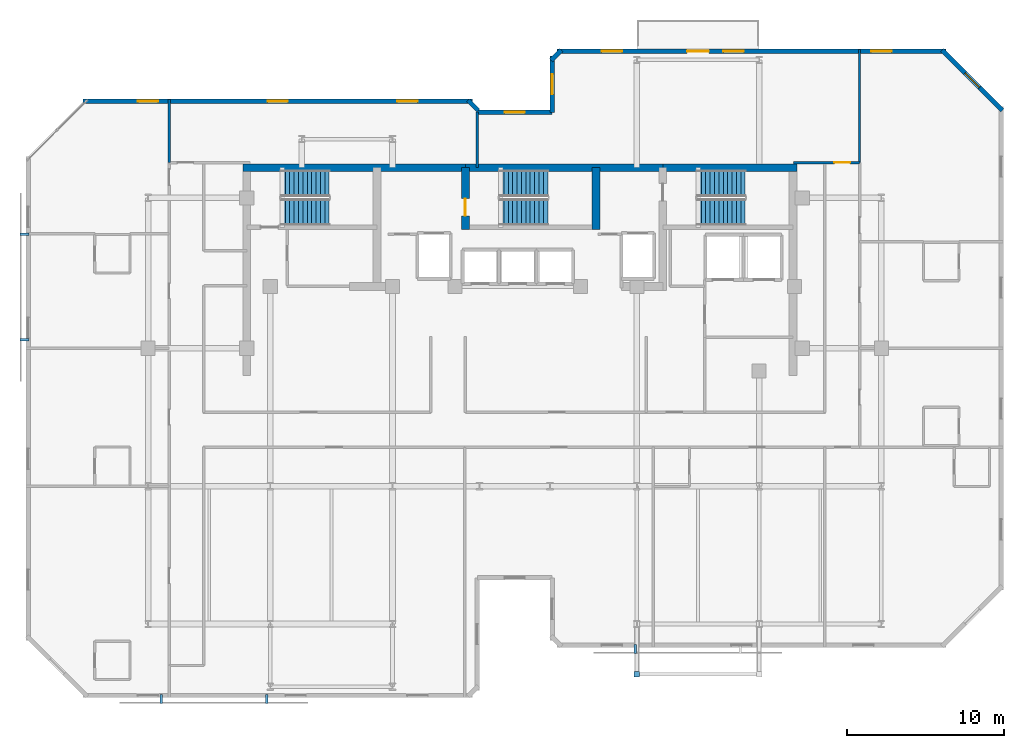
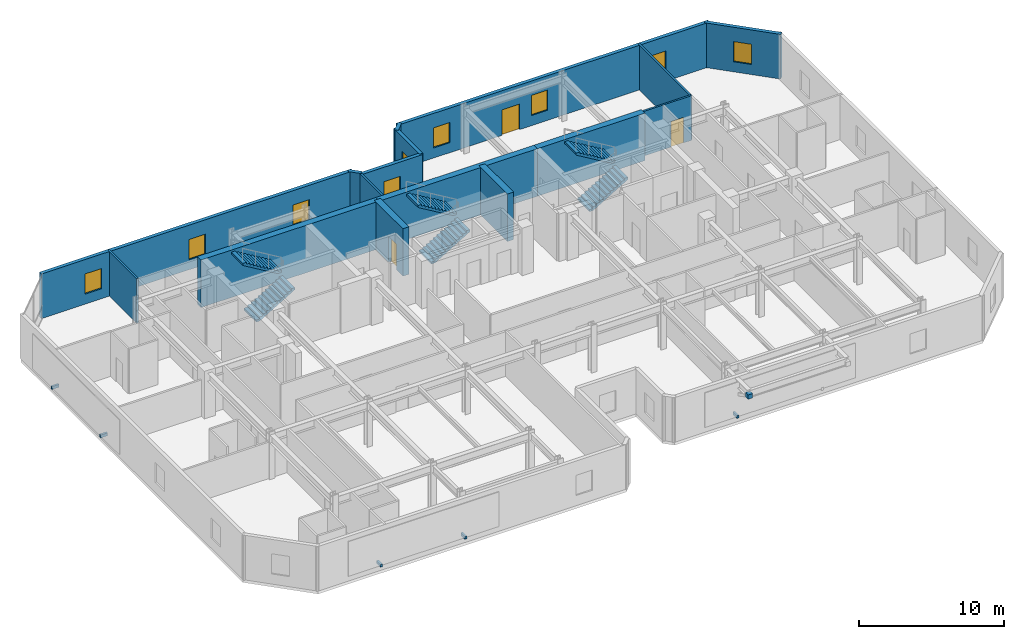
# One storey, part 7 of 10: 16 walls, 9 windows, 6 discrete accessories, 6 stair flights, 3 doors, 12 openings, 3 elements without a shape of their own.
"""IFC4 building model written with IfcOpenShell, lengths in metres."""

from ifc_helpers import new_model, si_unit, direction, frame, frame_2d, origin, origin_2d, place, context, subcontext, project, spatial, polyline, rectangle, outline, extrude, material, layer, layer_set, type_object, element, fill, aggregate, save


model = new_model("IFC4")

# Units and contexts
model_context = context("Model", 3, precision=1e-05, world=origin(), true_north=direction((0.0, 1.0)))
body_context = subcontext(model_context, "Body", "Model", "MODEL_VIEW")
ifc_project = project(units=[si_unit("LENGTHUNIT", "METRE"), si_unit("AREAUNIT", "SQUARE_METRE"), si_unit("VOLUMEUNIT", "CUBIC_METRE"), si_unit("PLANEANGLEUNIT", "RADIAN"), si_unit("MASSUNIT", "GRAM", prefix="KILO")], contexts=[model_context])

# Site, building, storey
site_placement = place(None, origin())
site = spatial("IfcSite", under=ifc_project, at=site_placement, CompositionType="ELEMENT")
building_placement = place(site_placement, origin())
building = spatial("IfcBuilding", under=site, at=building_placement, Name="Kestravale Grand Hotel", CompositionType="ELEMENT")
storey_placement = place(building_placement, frame((0.0, 0.0, 261.39990234375)))
storey = spatial("IfcBuildingStorey", under=building, at=storey_placement, Name="L65", CompositionType="ELEMENT", Elevation=261.39990234375)

# Walls
ifc_material_1 = material(Name="Concrete f'c 50 MPa", Category="concrete")
ifc_layer_1 = layer(ifc_material_1, 0.5)
ifc_layer_set_1 = layer_set([ifc_layer_1], Name="EW-CORE-500")
wall_type_1 = type_object("IfcWallType", Name="EW-CORE-500", PredefinedType="SHEAR", material=ifc_layer_set_1)
wall_1_placement = place(storey_placement, frame((21.64990234375, 40.320068359375, 0.0), z_axis=(0.0, 0.0, 1.0), x_axis=(1.0, 0.0, 0.0)))
element("IfcWall", 1, at=wall_1_placement, inside=storey, type_object=wall_type_1, Name="L65 core shear wall N1", PredefinedType="SHEAR", context=body_context, shape_type="SweptSolid", body=[
    extrude(rectangle(XDim=14.2001953125, YDim=0.5, at=frame_2d((7.10009765625, 0.0))), origin(), (0.0, 0.0, 1.0), 4.0),
])
wall_2_placement = place(storey_placement, frame((35.85009765625, 40.320068359375, 0.0), z_axis=(0.0, 0.0, 1.0), x_axis=(1.0, 0.0, 0.0)))
element("IfcWall", 2, at=wall_2_placement, inside=storey, type_object=wall_type_1, Name="L65 core shear wall N2", PredefinedType="SHEAR", context=body_context, shape_type="SweptSolid", body=[
    extrude(rectangle(XDim=12.599853515625, YDim=0.5, at=frame_2d((6.2998046875, 0.0))), origin(), (0.0, 0.0, 1.0), 4.0),
])
wall_3_placement = place(storey_placement, frame((48.449951171875, 40.320068359375, 0.0), z_axis=(0.0, 0.0, 1.0), x_axis=(1.0, 0.0, 0.0)))
element("IfcWall", 3, at=wall_3_placement, inside=storey, type_object=wall_type_1, Name="L65 core shear wall N3", PredefinedType="SHEAR", context=body_context, shape_type="SweptSolid", body=[
    extrude(rectangle(XDim=8.570068359375, YDim=0.5, at=frame_2d((4.28515625, 0.0))), origin(), (0.0, 0.0, 1.0), 4.0),
])

# Wall, opening, door
wall_4_placement = place(storey_placement, frame((35.85009765625, 36.3701171875, 0.0), z_axis=(0.0, 0.0, 1.0), x_axis=(0.0, 1.0, 0.0)))
wall_4 = element("IfcWall", 4, at=wall_4_placement, inside=storey, type_object=wall_type_1, Name="L65 core shear wall X2", PredefinedType="SHEAR", context=body_context, shape_type="SweptSolid", body=[
    extrude(rectangle(XDim=3.949951171875, YDim=0.5, at=frame_2d((1.97509765625, 0.0))), origin(), (0.0, 0.0, 1.0), 4.0),
])
opening_1_placement = place(wall_4_placement, frame((0.8798828125, 0.0, 0.0)))
opening_1 = element("IfcOpeningElement", 5, at=opening_1_placement, cuts=wall_4, Name="Opening D-ST-1100", PredefinedType="OPENING", context=body_context, shape_type="SweptSolid", body=[
    extrude(rectangle(XDim=1.10009765625, YDim=2.14990234375, at=frame_2d((0.550048828125, 1.074951171875))), frame((0.0, 0.260009765625, 0.0), z_axis=(0.0, -1.0, 0.0), x_axis=(1.0, 0.0, 0.0)), (0.0, 0.0, 1.0), 0.52001953125),
])
ifc_material_2 = material(Name="Galvanised 90-minute fire-rated steel stair door", Category="steel")
door_type_1 = type_object("IfcDoorType", Name="D-ST-1100", OperationType="NOTDEFINED", PredefinedType="DOOR", material=ifc_material_2)
door_1_placement = place(opening_1_placement, origin())
door_1 = element("IfcDoor", 6, at=door_1_placement, inside=storey, type_object=door_type_1, Name="L65 Stair ST-2 FSAE fire door", OperationType="SINGLE_SWING_RIGHT", OverallHeight=2.14990234375, OverallWidth=1.10009765625, PredefinedType="DOOR", context=body_context, shape_type="SweptSolid", body=[
    extrude(rectangle(XDim=1.10009765625, YDim=2.14990234375, at=frame_2d((0.550048828125, 1.074951171875))), frame((0.0, 0.02490234375, 0.0), z_axis=(0.0, -1.0, 0.0), x_axis=(1.0, 0.0, 0.0)), (0.0, 0.0, 1.0), 0.050048828125),
])
fill(opening_1, door_1)

# Wall
wall_5_placement = place(storey_placement, frame((44.179931640625, 36.3701171875, 0.0), z_axis=(0.0, 0.0, 1.0), x_axis=(0.0, 1.0, 0.0)))
element("IfcWall", 7, at=wall_5_placement, inside=storey, type_object=wall_type_1, Name="L65 core shear wall X3", PredefinedType="SHEAR", context=body_context, shape_type="SweptSolid", body=[
    extrude(rectangle(XDim=3.949951171875, YDim=0.5, at=frame_2d((1.97509765625, 0.0))), origin(), (0.0, 0.0, 1.0), 4.0),
])

# Wall, opening, window
ifc_material_3 = material(Name="Precast concrete f'c 45 MPa", Category="concrete")
ifc_layer_2 = layer(ifc_material_3, 0.280029296875)
ifc_layer_set_2 = layer_set([ifc_layer_2], Name="EW-PREC-280")
wall_type_2 = type_object("IfcWallType", Name="EW-PREC-280", PredefinedType="SOLIDWALL", material=ifc_layer_set_2)
wall_6_placement = place(storey_placement, frame((70.12939453125, 43.97265625, 0.0), z_axis=(0.0, 0.0, 1.0), x_axis=(-0.707106781187, 0.707106781187, 0.0)))
wall_6 = element("IfcWall", 8, at=wall_6_placement, inside=storey, type_object=wall_type_2, Name="L65 fluted precast facade wall 10", PredefinedType="SOLIDWALL", context=body_context, shape_type="SweptSolid", body=[
    extrude(rectangle(XDim=5.4541015625, YDim=0.280029296875, at=frame_2d((2.72705078125, 0.0))), origin(), (0.0, 0.0, 1.0), 3.760009765625),
])
opening_2_placement = place(wall_6_placement, frame((2.076904296875, 0.0, 0.85009765625)))
opening_2 = element("IfcOpeningElement", 9, at=opening_2_placement, cuts=wall_6, Name="Opening W-GUEST-1300", PredefinedType="OPENING", context=body_context, shape_type="SweptSolid", body=[
    extrude(rectangle(XDim=1.300048828125, YDim=1.699951171875, at=frame_2d((0.64990234375, 0.85009765625))), frame((0.0, 0.14990234375, 0.0), z_axis=(0.0, -1.0, 0.0), x_axis=(1.0, 0.0, 0.0)), (0.0, 0.0, 1.0), 0.300048828125),
])
ifc_material_4 = material(Name="Insulated low-E double glazing in aluminium frame", Category="aluminium")
window_type = type_object("IfcWindowType", Name="W-GUEST-1300", PartitioningType="SINGLE_PANEL", PredefinedType="WINDOW", material=ifc_material_4)
window_1_placement = place(opening_2_placement, origin())
window_1 = element("IfcWindow", 10, at=window_1_placement, inside=storey, type_object=window_type, Name="L65 exterior window 10.1", OverallHeight=1.699951171875, OverallWidth=1.300048828125, PartitioningType="SINGLE_PANEL", PredefinedType="WINDOW", context=body_context, shape_type="SweptSolid", body=[
    extrude(rectangle(XDim=1.300048828125, YDim=1.699951171875, at=frame_2d((0.64990234375, 0.85009765625))), frame((0.0, 0.030029296875, 0.0), z_axis=(0.0, -1.0, 0.0), x_axis=(1.0, 0.0, 0.0)), (0.0, 0.0, 1.0), 0.06005859375),
])
fill(opening_2, window_1)

# Wall, openings, door, windows
wall_7_placement = place(storey_placement, frame((66.5400390625, 47.760009765625, 0.0), z_axis=(0.0, 0.0, 1.0), x_axis=(-1.0, 0.0, 0.0)))
wall_7 = element("IfcWall", 11, at=wall_7_placement, inside=storey, type_object=wall_type_2, Name="L65 fluted precast facade wall 11", PredefinedType="SOLIDWALL", context=body_context, shape_type="SweptSolid", body=[
    extrude(rectangle(XDim=24.830078125, YDim=0.280029296875, at=frame_2d((12.4150390625, 0.0))), origin(), (0.0, 0.0, 1.0), 3.760009765625),
])
opening_3_placement = place(wall_7_placement, frame((15.139892578125, 0.0, 0.0)))
opening_3 = element("IfcOpeningElement", 12, at=opening_3_placement, cuts=wall_7, Name="Opening D-TERR-1400", PredefinedType="OPENING", context=body_context, shape_type="SweptSolid", body=[
    extrude(rectangle(XDim=1.39990234375, YDim=2.14990234375, at=frame_2d((0.699951171875, 1.074951171875))), frame((0.0, 0.14990234375, 0.0), z_axis=(0.0, -1.0, 0.0), x_axis=(1.0, 0.0, 0.0)), (0.0, 0.0, 1.0), 0.300048828125),
])
opening_4_placement = place(wall_7_placement, frame((3.48828125, 0.0, 0.85009765625)))
opening_4 = element("IfcOpeningElement", 13, at=opening_4_placement, cuts=wall_7, Name="Opening W-GUEST-1300", PredefinedType="OPENING", context=body_context, shape_type="SweptSolid", body=[
    extrude(rectangle(XDim=1.300048828125, YDim=1.699951171875, at=frame_2d((0.64990234375, 0.85009765625))), frame((0.0, 0.14990234375, 0.0), z_axis=(0.0, -1.0, 0.0), x_axis=(1.0, 0.0, 0.0)), (0.0, 0.0, 1.0), 0.300048828125),
])
opening_5_placement = place(wall_7_placement, frame((12.9150390625, 0.0, 0.85009765625)))
opening_5 = element("IfcOpeningElement", 14, at=opening_5_placement, cuts=wall_7, Name="Opening W-GUEST-1300", PredefinedType="OPENING", context=body_context, shape_type="SweptSolid", body=[
    extrude(rectangle(XDim=1.300048828125, YDim=1.699951171875, at=frame_2d((0.64990234375, 0.85009765625))), frame((0.0, 0.14990234375, 0.0), z_axis=(0.0, -1.0, 0.0), x_axis=(1.0, 0.0, 0.0)), (0.0, 0.0, 1.0), 0.300048828125),
])
opening_6_placement = place(wall_7_placement, frame((20.691650390625, 0.0, 0.85009765625)))
opening_6 = element("IfcOpeningElement", 15, at=opening_6_placement, cuts=wall_7, Name="Opening W-GUEST-1300", PredefinedType="OPENING", context=body_context, shape_type="SweptSolid", body=[
    extrude(rectangle(XDim=1.300048828125, YDim=1.699951171875, at=frame_2d((0.64990234375, 0.85009765625))), frame((0.0, 0.14990234375, 0.0), z_axis=(0.0, -1.0, 0.0), x_axis=(1.0, 0.0, 0.0)), (0.0, 0.0, 1.0), 0.300048828125),
])
ifc_material_5 = material(Name="Insulated glazed champagne-bronze aluminium door", Category="aluminium")
door_type_2 = type_object("IfcDoorType", Name="D-TERR-1400", OperationType="NOTDEFINED", PredefinedType="DOOR", material=ifc_material_5)
door_2_placement = place(opening_3_placement, origin())
door_2 = element("IfcDoor", 16, at=door_2_placement, inside=storey, type_object=door_type_2, Name="L65 outdoor garden terrace door", OperationType="DOUBLE_DOOR_SINGLE_SWING", OverallHeight=2.14990234375, OverallWidth=1.39990234375, PredefinedType="DOOR", context=body_context, shape_type="SweptSolid", body=[
    extrude(rectangle(XDim=1.39990234375, YDim=2.14990234375, at=frame_2d((0.699951171875, 1.074951171875))), frame((0.0, 0.02490234375, 0.0), z_axis=(0.0, -1.0, 0.0), x_axis=(1.0, 0.0, 0.0)), (0.0, 0.0, 1.0), 0.050048828125),
])
fill(opening_3, door_2)
window_2_placement = place(opening_4_placement, origin())
window_2 = element("IfcWindow", 17, at=window_2_placement, inside=storey, type_object=window_type, Name="L65 exterior window 11.1", OverallHeight=1.699951171875, OverallWidth=1.300048828125, PartitioningType="SINGLE_PANEL", PredefinedType="WINDOW", context=body_context, shape_type="SweptSolid", body=[
    extrude(rectangle(XDim=1.300048828125, YDim=1.699951171875, at=frame_2d((0.64990234375, 0.85009765625))), frame((0.0, 0.030029296875, 0.0), z_axis=(0.0, -1.0, 0.0), x_axis=(1.0, 0.0, 0.0)), (0.0, 0.0, 1.0), 0.06005859375),
])
fill(opening_4, window_2)
window_3_placement = place(opening_5_placement, origin())
window_3 = element("IfcWindow", 18, at=window_3_placement, inside=storey, type_object=window_type, Name="L65 exterior window 11.2", OverallHeight=1.699951171875, OverallWidth=1.300048828125, PartitioningType="SINGLE_PANEL", PredefinedType="WINDOW", context=body_context, shape_type="SweptSolid", body=[
    extrude(rectangle(XDim=1.300048828125, YDim=1.699951171875, at=frame_2d((0.64990234375, 0.85009765625))), frame((0.0, 0.030029296875, 0.0), z_axis=(0.0, -1.0, 0.0), x_axis=(1.0, 0.0, 0.0)), (0.0, 0.0, 1.0), 0.06005859375),
])
fill(opening_5, window_3)
window_4_placement = place(opening_6_placement, origin())
window_4 = element("IfcWindow", 19, at=window_4_placement, inside=storey, type_object=window_type, Name="L65 exterior window 11.3", OverallHeight=1.699951171875, OverallWidth=1.300048828125, PartitioningType="SINGLE_PANEL", PredefinedType="WINDOW", context=body_context, shape_type="SweptSolid", body=[
    extrude(rectangle(XDim=1.300048828125, YDim=1.699951171875, at=frame_2d((0.64990234375, 0.85009765625))), frame((0.0, 0.030029296875, 0.0), z_axis=(0.0, -1.0, 0.0), x_axis=(1.0, 0.0, 0.0)), (0.0, 0.0, 1.0), 0.06005859375),
])
fill(opening_6, window_4)

# Wall
wall_8_placement = place(storey_placement, frame((41.977294921875, 47.829345703125, 0.0), z_axis=(0.0, 0.0, 1.0), x_axis=(-0.706975312048, -0.707238225886, 0.0)))
element("IfcWall", 20, at=wall_8_placement, inside=storey, type_object=wall_type_2, Name="L65 fluted precast facade wall 12", PredefinedType="SOLIDWALL", context=body_context, shape_type="SweptSolid", body=[
    extrude(rectangle(XDim=0.9287109375, YDim=0.280029296875, at=frame_2d((0.46435546875, 0.0))), origin(), (0.0, 0.0, 1.0), 3.760009765625),
])

# Wall, opening, window
wall_9_placement = place(storey_placement, frame((41.389892578125, 47.43994140625, 0.0), z_axis=(0.0, 0.0, 1.0), x_axis=(0.0, -1.0, 0.0)))
wall_9 = element("IfcWall", 21, at=wall_9_placement, inside=storey, type_object=wall_type_2, Name="L65 fluted precast facade wall 13", PredefinedType="SOLIDWALL", context=body_context, shape_type="SweptSolid", body=[
    extrude(rectangle(XDim=3.579833984375, YDim=0.280029296875, at=frame_2d((1.7900390625, 0.0))), origin(), (0.0, 0.0, 1.0), 3.760009765625),
])
opening_7_placement = place(wall_9_placement, frame((1.139892578125, 0.0, 0.85009765625)))
opening_7 = element("IfcOpeningElement", 22, at=opening_7_placement, cuts=wall_9, Name="Opening W-GUEST-1300", PredefinedType="OPENING", context=body_context, shape_type="SweptSolid", body=[
    extrude(rectangle(XDim=1.300048828125, YDim=1.699951171875, at=frame_2d((0.64990234375, 0.85009765625))), frame((0.0, 0.14990234375, 0.0), z_axis=(0.0, -1.0, 0.0), x_axis=(1.0, 0.0, 0.0)), (0.0, 0.0, 1.0), 0.300048828125),
])
window_5_placement = place(opening_7_placement, origin())
window_5 = element("IfcWindow", 23, at=window_5_placement, inside=storey, type_object=window_type, Name="L65 exterior window 13.1", OverallHeight=1.699951171875, OverallWidth=1.300048828125, PartitioningType="SINGLE_PANEL", PredefinedType="WINDOW", context=body_context, shape_type="SweptSolid", body=[
    extrude(rectangle(XDim=1.300048828125, YDim=1.699951171875, at=frame_2d((0.64990234375, 0.85009765625))), frame((0.0, 0.030029296875, 0.0), z_axis=(0.0, -1.0, 0.0), x_axis=(1.0, 0.0, 0.0)), (0.0, 0.0, 1.0), 0.06005859375),
])
fill(opening_7, window_5)

wall_10_placement = place(storey_placement, frame((41.389892578125, 43.860107421875, 0.0), z_axis=(0.0, 0.0, 1.0), x_axis=(-1.0, 0.0, 0.0)))
wall_10 = element("IfcWall", 24, at=wall_10_placement, inside=storey, type_object=wall_type_2, Name="L65 fluted precast facade wall 14", PredefinedType="SOLIDWALL", context=body_context, shape_type="SweptSolid", body=[
    extrude(rectangle(XDim=4.77978515625, YDim=0.280029296875, at=frame_2d((2.389892578125, 0.0))), origin(), (0.0, 0.0, 1.0), 3.760009765625),
])
opening_8_placement = place(wall_10_placement, frame((1.739990234375, 0.0, 0.85009765625)))
opening_8 = element("IfcOpeningElement", 25, at=opening_8_placement, cuts=wall_10, Name="Opening W-GUEST-1300", PredefinedType="OPENING", context=body_context, shape_type="SweptSolid", body=[
    extrude(rectangle(XDim=1.300048828125, YDim=1.699951171875, at=frame_2d((0.64990234375, 0.85009765625))), frame((0.0, 0.14990234375, 0.0), z_axis=(0.0, -1.0, 0.0), x_axis=(1.0, 0.0, 0.0)), (0.0, 0.0, 1.0), 0.300048828125),
])
window_6_placement = place(opening_8_placement, origin())
window_6 = element("IfcWindow", 26, at=window_6_placement, inside=storey, type_object=window_type, Name="L65 exterior window 14.1", OverallHeight=1.699951171875, OverallWidth=1.300048828125, PartitioningType="SINGLE_PANEL", PredefinedType="WINDOW", context=body_context, shape_type="SweptSolid", body=[
    extrude(rectangle(XDim=1.300048828125, YDim=1.699951171875, at=frame_2d((0.64990234375, 0.85009765625))), frame((0.0, 0.030029296875, 0.0), z_axis=(0.0, -1.0, 0.0), x_axis=(1.0, 0.0, 0.0)), (0.0, 0.0, 1.0), 0.06005859375),
])
fill(opening_8, window_6)

# Wall
wall_11_placement = place(storey_placement, frame((36.67919921875, 43.97265625, 0.0), z_axis=(0.0, 0.0, 1.0), x_axis=(-0.706975312048, 0.707238225886, 0.0)))
element("IfcWall", 27, at=wall_11_placement, inside=storey, type_object=wall_type_2, Name="L65 fluted precast facade wall 16", PredefinedType="SOLIDWALL", context=body_context, shape_type="SweptSolid", body=[
    extrude(rectangle(XDim=0.9287109375, YDim=0.280029296875, at=frame_2d((0.46435546875, 0.0))), origin(), (0.0, 0.0, 1.0), 3.760009765625),
])

# Wall, openings, windows
wall_12_placement = place(storey_placement, frame((36.2900390625, 44.56005859375, 0.0), z_axis=(0.0, 0.0, 1.0), x_axis=(-1.0, 0.0, 0.0)))
wall_12 = element("IfcWall", 28, at=wall_12_placement, inside=storey, type_object=wall_type_2, Name="L65 fluted precast facade wall 17", PredefinedType="SOLIDWALL", context=body_context, shape_type="SweptSolid", body=[
    extrude(rectangle(XDim=24.830078125, YDim=0.280029296875, at=frame_2d((12.4150390625, 0.0))), origin(), (0.0, 0.0, 1.0), 3.760009765625),
])
opening_9_placement = place(wall_12_placement, frame((3.48828125, 0.0, 0.85009765625)))
opening_9 = element("IfcOpeningElement", 29, at=opening_9_placement, cuts=wall_12, Name="Opening W-GUEST-1300", PredefinedType="OPENING", context=body_context, shape_type="SweptSolid", body=[
    extrude(rectangle(XDim=1.300048828125, YDim=1.699951171875, at=frame_2d((0.64990234375, 0.85009765625))), frame((0.0, 0.14990234375, 0.0), z_axis=(0.0, -1.0, 0.0), x_axis=(1.0, 0.0, 0.0)), (0.0, 0.0, 1.0), 0.300048828125),
])
opening_10_placement = place(wall_12_placement, frame((11.764892578125, 0.0, 0.85009765625)))
opening_10 = element("IfcOpeningElement", 30, at=opening_10_placement, cuts=wall_12, Name="Opening W-GUEST-1300", PredefinedType="OPENING", context=body_context, shape_type="SweptSolid", body=[
    extrude(rectangle(XDim=1.300048828125, YDim=1.699951171875, at=frame_2d((0.64990234375, 0.85009765625))), frame((0.0, 0.14990234375, 0.0), z_axis=(0.0, -1.0, 0.0), x_axis=(1.0, 0.0, 0.0)), (0.0, 0.0, 1.0), 0.300048828125),
])
opening_11_placement = place(wall_12_placement, frame((20.041748046875, 0.0, 0.85009765625)))
opening_11 = element("IfcOpeningElement", 31, at=opening_11_placement, cuts=wall_12, Name="Opening W-GUEST-1300", PredefinedType="OPENING", context=body_context, shape_type="SweptSolid", body=[
    extrude(rectangle(XDim=1.300048828125, YDim=1.699951171875, at=frame_2d((0.64990234375, 0.85009765625))), frame((0.0, 0.14990234375, 0.0), z_axis=(0.0, -1.0, 0.0), x_axis=(1.0, 0.0, 0.0)), (0.0, 0.0, 1.0), 0.300048828125),
])
window_7_placement = place(opening_9_placement, origin())
window_7 = element("IfcWindow", 32, at=window_7_placement, inside=storey, type_object=window_type, Name="L65 exterior window 17.1", OverallHeight=1.699951171875, OverallWidth=1.300048828125, PartitioningType="SINGLE_PANEL", PredefinedType="WINDOW", context=body_context, shape_type="SweptSolid", body=[
    extrude(rectangle(XDim=1.300048828125, YDim=1.699951171875, at=frame_2d((0.64990234375, 0.85009765625))), frame((0.0, 0.030029296875, 0.0), z_axis=(0.0, -1.0, 0.0), x_axis=(1.0, 0.0, 0.0)), (0.0, 0.0, 1.0), 0.06005859375),
])
fill(opening_9, window_7)
window_8_placement = place(opening_10_placement, origin())
window_8 = element("IfcWindow", 33, at=window_8_placement, inside=storey, type_object=window_type, Name="L65 exterior window 17.2", OverallHeight=1.699951171875, OverallWidth=1.300048828125, PartitioningType="SINGLE_PANEL", PredefinedType="WINDOW", context=body_context, shape_type="SweptSolid", body=[
    extrude(rectangle(XDim=1.300048828125, YDim=1.699951171875, at=frame_2d((0.64990234375, 0.85009765625))), frame((0.0, 0.030029296875, 0.0), z_axis=(0.0, -1.0, 0.0), x_axis=(1.0, 0.0, 0.0)), (0.0, 0.0, 1.0), 0.06005859375),
])
fill(opening_10, window_8)
window_9_placement = place(opening_11_placement, origin())
window_9 = element("IfcWindow", 34, at=window_9_placement, inside=storey, type_object=window_type, Name="L65 exterior window 17.3", OverallHeight=1.699951171875, OverallWidth=1.300048828125, PartitioningType="SINGLE_PANEL", PredefinedType="WINDOW", context=body_context, shape_type="SweptSolid", body=[
    extrude(rectangle(XDim=1.300048828125, YDim=1.699951171875, at=frame_2d((0.64990234375, 0.85009765625))), frame((0.0, 0.030029296875, 0.0), z_axis=(0.0, -1.0, 0.0), x_axis=(1.0, 0.0, 0.0)), (0.0, 0.0, 1.0), 0.06005859375),
])
fill(opening_11, window_9)

# Wall, opening, door
ifc_material_6 = material(Name="Double-stud STC 52 acoustic demising partition", Category="other")
ifc_layer_3 = layer(ifc_material_6, 0.14990234375)
ifc_layer_set_3 = layer_set([ifc_layer_3], Name="IW-UNIT-150")
wall_type_3 = type_object("IfcWallType", Name="IW-UNIT-150", PredefinedType="PARTITIONING", material=ifc_layer_set_3)
wall_13_placement = place(storey_placement, frame((56.800048828125, 40.64990234375, 0.0), z_axis=(0.0, 0.0, 1.0), x_axis=(1.0, 0.0, 0.0)))
wall_13 = element("IfcWall", 35, at=wall_13_placement, inside=storey, type_object=wall_type_3, Name="W-L65-SE-N", PredefinedType="PARTITIONING", context=body_context, shape_type="SweptSolid", body=[
    extrude(rectangle(XDim=4.2099609375, YDim=0.14990234375, at=frame_2d((2.10498046875, 0.0))), origin(), (0.0, 0.0, 1.0), 3.760009765625),
])
opening_12_placement = place(wall_13_placement, frame((2.60009765625, 0.0, 0.0)))
opening_12 = element("IfcOpeningElement", 36, at=opening_12_placement, cuts=wall_13, Name="Opening D-GUEST-1000", PredefinedType="OPENING", context=body_context, shape_type="SweptSolid", body=[
    extrude(rectangle(XDim=1.0, YDim=2.14990234375, at=frame_2d((0.5, 1.074951171875))), frame((0.0, 0.0849609375, 0.0), z_axis=(0.0, -1.0, 0.0), x_axis=(1.0, 0.0, 0.0)), (0.0, 0.0, 1.0), 0.169921875),
])
ifc_material_7 = material(Name="Accessible walnut veneer hotel entrance fire door", Category="wood")
door_type_3 = type_object("IfcDoorType", Name="D-GUEST-1000", OperationType="NOTDEFINED", PredefinedType="DOOR", material=ifc_material_7)
door_3_placement = place(opening_12_placement, origin())
door_3 = element("IfcDoor", 37, at=door_3_placement, inside=storey, type_object=door_type_3, Name="L65 NE Gallery Door", OperationType="SINGLE_SWING_LEFT", OverallHeight=2.14990234375, OverallWidth=1.0, PredefinedType="DOOR", context=body_context, shape_type="SweptSolid", body=[
    extrude(rectangle(XDim=1.0, YDim=2.14990234375, at=frame_2d((0.5, 1.074951171875))), frame((0.0, 0.02490234375, 0.0), z_axis=(0.0, -1.0, 0.0), x_axis=(1.0, 0.0, 0.0)), (0.0, 0.0, 1.0), 0.050048828125),
])
fill(opening_12, door_3)

# Walls
wall_14_placement = place(storey_placement, frame((16.93994140625, 40.64990234375, 0.0), z_axis=(0.0, 0.0, 1.0), x_axis=(0.0, 1.0, 0.0)))
element("IfcWall", 38, at=wall_14_placement, inside=storey, type_object=wall_type_3, Name="W-L65-NGW-W", PredefinedType="PARTITIONING", context=body_context, shape_type="SweptSolid", body=[
    extrude(rectangle(XDim=4.030029296875, YDim=0.14990234375, at=frame_2d((2.01513671875, 0.0))), origin(), (0.0, 0.0, 1.0), 3.760009765625),
])
wall_15_placement = place(storey_placement, frame((36.60009765625, 40.320068359375, 0.0), z_axis=(0.0, 0.0, 1.0), x_axis=(0.0, 1.0, 0.0)))
element("IfcWall", 39, at=wall_15_placement, inside=storey, type_object=wall_type_3, Name="W-L65-NGM", PredefinedType="PARTITIONING", context=body_context, shape_type="SweptSolid", body=[
    extrude(rectangle(XDim=3.544921875, YDim=0.14990234375, at=frame_2d((1.7724609375, 0.0))), origin(), (0.0, 0.0, 1.0), 3.760009765625),
])
wall_16_placement = place(storey_placement, frame((61.010009765625, 40.64990234375, 0.0), z_axis=(0.0, 0.0, 1.0), x_axis=(0.0, 1.0, 0.0)))
element("IfcWall", 40, at=wall_16_placement, inside=storey, type_object=wall_type_3, Name="W-L65-NGE-E", PredefinedType="PARTITIONING", context=body_context, shape_type="SweptSolid", body=[
    extrude(rectangle(XDim=7.22998046875, YDim=0.14990234375, at=frame_2d((3.614990234375, 0.0))), origin(), (0.0, 0.0, 1.0), 3.760009765625),
])

# Stair, stair flights
ifc_material_8 = material(Name="Concrete f'c 45 MPa", Category="concrete")
stair_type = type_object("IfcStairType", Name="ST-CORE-400", PredefinedType="HALF_TURN_STAIR", material=ifc_material_8)
stair_1_placement = place(storey_placement, origin())
stair_1 = element("IfcStair", 41, at=stair_1_placement, inside=storey, type_object=stair_type, Name="L65 ST-1", PredefinedType="HALF_TURN_STAIR")
ifc_material_9 = material(Name="Concrete f'c 45 MPa", Category="concrete")
stair_flight_type = type_object("IfcStairFlightType", Name="STF-CORE-400", PredefinedType="STRAIGHT", material=ifc_material_9)
stair_flight_1_placement = place(storey_placement, frame((24.080078125, 37.489990234375, 0.0), z_axis=(0.0, 0.0, 1.0), x_axis=(1.0, 0.0, 0.0)))
stair_flight_1 = element("IfcStairFlight", 42, at=stair_flight_1_placement, type_object=stair_flight_type, Name="ST-1 flight 1", NumberOfRisers=12, NumberOfTreads=11, PredefinedType="STRAIGHT", RiserHeight=0.166666667, TreadLength=0.28, context=body_context, shape_type="SweptSolid", body=[
    extrude(outline(polyline([(0.0, 0.0), (0.0, 0.166748046875), (0.280029296875, 0.166748046875), (0.280029296875, 0.333251953125), (0.56005859375, 0.333251953125), (0.56005859375, 0.5), (0.840087890625, 0.5), (0.840087890625, 0.666748046875), (1.1201171875, 0.666748046875), (1.1201171875, 0.833251953125), (1.39990234375, 0.833251953125), (1.39990234375, 1.0), (1.679931640625, 1.0), (1.679931640625, 1.166748046875), (1.9599609375, 1.166748046875), (1.9599609375, 1.333251953125), (2.239990234375, 1.333251953125), (2.239990234375, 1.5), (2.52001953125, 1.5), (2.52001953125, 1.666748046875), (2.800048828125, 1.666748046875), (2.800048828125, 1.833251953125), (3.080078125, 1.833251953125), (3.080078125, 2.0), (3.080078125, 1.658935546875), (0.29296875, 0.0), (0.0, 0.0)])), frame((0.0, 0.83984375, 0.0), z_axis=(0.0, -1.0, 0.0), x_axis=(1.0, 0.0, 0.0)), (0.0, 0.0, 1.0), 1.679931640625),
])
stair_flight_2_placement = place(storey_placement, frame((27.159912109375, 39.320068359375, 2.0), z_axis=(0.0, 0.0, 1.0), x_axis=(-1.0, 0.0, 0.0)))
stair_flight_2 = element("IfcStairFlight", 43, at=stair_flight_2_placement, type_object=stair_flight_type, Name="ST-1 flight 2", NumberOfRisers=12, NumberOfTreads=11, PredefinedType="STRAIGHT", RiserHeight=0.166666667, TreadLength=0.28, context=body_context, shape_type="SweptSolid", body=[
    extrude(outline(polyline([(0.0, 0.0), (0.0, 0.166748046875), (0.280029296875, 0.166748046875), (0.280029296875, 0.333251953125), (0.56005859375, 0.333251953125), (0.56005859375, 0.5), (0.840087890625, 0.5), (0.840087890625, 0.666748046875), (1.1201171875, 0.666748046875), (1.1201171875, 0.833251953125), (1.39990234375, 0.833251953125), (1.39990234375, 1.0), (1.679931640625, 1.0), (1.679931640625, 1.166748046875), (1.9599609375, 1.166748046875), (1.9599609375, 1.333251953125), (2.239990234375, 1.333251953125), (2.239990234375, 1.5), (2.52001953125, 1.5), (2.52001953125, 1.666748046875), (2.800048828125, 1.666748046875), (2.800048828125, 1.833251953125), (3.080078125, 1.833251953125), (3.080078125, 2.0), (3.080078125, 1.658935546875), (0.29296875, 0.0), (0.0, 0.0)])), frame((0.0, 0.83984375, 0.0), z_axis=(0.0, -1.0, 0.0), x_axis=(1.0, 0.0, 0.0)), (0.0, 0.0, 1.0), 1.679931640625),
])
aggregate(stair_1, [stair_flight_1, stair_flight_2])

stair_2_placement = place(storey_placement, origin())
stair_2 = element("IfcStair", 44, at=stair_2_placement, inside=storey, type_object=stair_type, Name="L65 ST-2", PredefinedType="HALF_TURN_STAIR")
stair_flight_3_placement = place(storey_placement, frame((38.030029296875, 37.489990234375, 0.0), z_axis=(0.0, 0.0, 1.0), x_axis=(1.0, 0.0, 0.0)))
stair_flight_3 = element("IfcStairFlight", 45, at=stair_flight_3_placement, type_object=stair_flight_type, Name="ST-2 flight 1", NumberOfRisers=12, NumberOfTreads=11, PredefinedType="STRAIGHT", RiserHeight=0.166666667, TreadLength=0.28, context=body_context, shape_type="SweptSolid", body=[
    extrude(outline(polyline([(0.0, 0.0), (0.0, 0.166748046875), (0.280029296875, 0.166748046875), (0.280029296875, 0.333251953125), (0.56005859375, 0.333251953125), (0.56005859375, 0.5), (0.840087890625, 0.5), (0.840087890625, 0.666748046875), (1.1201171875, 0.666748046875), (1.1201171875, 0.833251953125), (1.39990234375, 0.833251953125), (1.39990234375, 1.0), (1.679931640625, 1.0), (1.679931640625, 1.166748046875), (1.9599609375, 1.166748046875), (1.9599609375, 1.333251953125), (2.239990234375, 1.333251953125), (2.239990234375, 1.5), (2.52001953125, 1.5), (2.52001953125, 1.666748046875), (2.800048828125, 1.666748046875), (2.800048828125, 1.833251953125), (3.080078125, 1.833251953125), (3.080078125, 2.0), (3.080078125, 1.658935546875), (0.29296875, 0.0), (0.0, 0.0)])), frame((0.0, 0.83984375, 0.0), z_axis=(0.0, -1.0, 0.0), x_axis=(1.0, 0.0, 0.0)), (0.0, 0.0, 1.0), 1.679931640625),
])
stair_flight_4_placement = place(storey_placement, frame((41.110107421875, 39.320068359375, 2.0), z_axis=(0.0, 0.0, 1.0), x_axis=(-1.0, 0.0, 0.0)))
stair_flight_4 = element("IfcStairFlight", 46, at=stair_flight_4_placement, type_object=stair_flight_type, Name="ST-2 flight 2", NumberOfRisers=12, NumberOfTreads=11, PredefinedType="STRAIGHT", RiserHeight=0.166666667, TreadLength=0.28, context=body_context, shape_type="SweptSolid", body=[
    extrude(outline(polyline([(0.0, 0.0), (0.0, 0.166748046875), (0.280029296875, 0.166748046875), (0.280029296875, 0.333251953125), (0.56005859375, 0.333251953125), (0.56005859375, 0.5), (0.840087890625, 0.5), (0.840087890625, 0.666748046875), (1.1201171875, 0.666748046875), (1.1201171875, 0.833251953125), (1.39990234375, 0.833251953125), (1.39990234375, 1.0), (1.679931640625, 1.0), (1.679931640625, 1.166748046875), (1.9599609375, 1.166748046875), (1.9599609375, 1.333251953125), (2.239990234375, 1.333251953125), (2.239990234375, 1.5), (2.52001953125, 1.5), (2.52001953125, 1.666748046875), (2.800048828125, 1.666748046875), (2.800048828125, 1.833251953125), (3.080078125, 1.833251953125), (3.080078125, 2.0), (3.080078125, 1.658935546875), (0.29296875, 0.0), (0.0, 0.0)])), frame((0.0, 0.83984375, 0.0), z_axis=(0.0, -1.0, 0.0), x_axis=(1.0, 0.0, 0.0)), (0.0, 0.0, 1.0), 1.679931640625),
])
aggregate(stair_2, [stair_flight_3, stair_flight_4])

stair_3_placement = place(storey_placement, origin())
stair_3 = element("IfcStair", 47, at=stair_3_placement, inside=storey, type_object=stair_type, Name="L65 ST-3", PredefinedType="HALF_TURN_STAIR")
stair_flight_5_placement = place(storey_placement, frame((50.6298828125, 37.489990234375, 0.0), z_axis=(0.0, 0.0, 1.0), x_axis=(1.0, 0.0, 0.0)))
stair_flight_5 = element("IfcStairFlight", 48, at=stair_flight_5_placement, type_object=stair_flight_type, Name="ST-3 flight 1", NumberOfRisers=12, NumberOfTreads=11, PredefinedType="STRAIGHT", RiserHeight=0.166666667, TreadLength=0.28, context=body_context, shape_type="SweptSolid", body=[
    extrude(outline(polyline([(0.0, 0.0), (0.0, 0.166748046875), (0.280029296875, 0.166748046875), (0.280029296875, 0.333251953125), (0.56005859375, 0.333251953125), (0.56005859375, 0.5), (0.840087890625, 0.5), (0.840087890625, 0.666748046875), (1.1201171875, 0.666748046875), (1.1201171875, 0.833251953125), (1.39990234375, 0.833251953125), (1.39990234375, 1.0), (1.679931640625, 1.0), (1.679931640625, 1.166748046875), (1.9599609375, 1.166748046875), (1.9599609375, 1.333251953125), (2.239990234375, 1.333251953125), (2.239990234375, 1.5), (2.52001953125, 1.5), (2.52001953125, 1.666748046875), (2.800048828125, 1.666748046875), (2.800048828125, 1.833251953125), (3.080078125, 1.833251953125), (3.080078125, 2.0), (3.080078125, 1.658935546875), (0.29296875, 0.0), (0.0, 0.0)])), frame((0.0, 0.83984375, 0.0), z_axis=(0.0, -1.0, 0.0), x_axis=(1.0, 0.0, 0.0)), (0.0, 0.0, 1.0), 1.679931640625),
])
stair_flight_6_placement = place(storey_placement, frame((53.7099609375, 39.320068359375, 2.0), z_axis=(0.0, 0.0, 1.0), x_axis=(-1.0, 0.0, 0.0)))
stair_flight_6 = element("IfcStairFlight", 49, at=stair_flight_6_placement, type_object=stair_flight_type, Name="ST-3 flight 2", NumberOfRisers=12, NumberOfTreads=11, PredefinedType="STRAIGHT", RiserHeight=0.166666667, TreadLength=0.28, context=body_context, shape_type="SweptSolid", body=[
    extrude(outline(polyline([(0.0, 0.0), (0.0, 0.166748046875), (0.280029296875, 0.166748046875), (0.280029296875, 0.333251953125), (0.56005859375, 0.333251953125), (0.56005859375, 0.5), (0.840087890625, 0.5), (0.840087890625, 0.666748046875), (1.1201171875, 0.666748046875), (1.1201171875, 0.833251953125), (1.39990234375, 0.833251953125), (1.39990234375, 1.0), (1.679931640625, 1.0), (1.679931640625, 1.166748046875), (1.9599609375, 1.166748046875), (1.9599609375, 1.333251953125), (2.239990234375, 1.333251953125), (2.239990234375, 1.5), (2.52001953125, 1.5), (2.52001953125, 1.666748046875), (2.800048828125, 1.666748046875), (2.800048828125, 1.833251953125), (3.080078125, 1.833251953125), (3.080078125, 2.0), (3.080078125, 1.658935546875), (0.29296875, 0.0), (0.0, 0.0)])), frame((0.0, 0.83984375, 0.0), z_axis=(0.0, -1.0, 0.0), x_axis=(1.0, 0.0, 0.0)), (0.0, 0.0, 1.0), 1.679931640625),
])
aggregate(stair_3, [stair_flight_5, stair_flight_6])

# Discrete accessories
ifc_material_10 = material(Name="Steel ASTM A572 Grade 50 hot-dip galvanised bracket", Category="steel")
discrete_accessory_type = type_object("IfcDiscreteAccessoryType", Name="ACC-BRK-STL", PredefinedType="BRACKET", material=ifc_material_10)
discrete_accessory_placement = place(storey_placement, frame((46.800048828125, 8.0, 3.09423828125), z_axis=(0.0, 0.0, 1.0), x_axis=(1.0, 0.0, 0.0)))
element("IfcDiscreteAccessory", 50, at=discrete_accessory_placement, inside=storey, type_object=discrete_accessory_type, Name="L66 terrace strut beam bracket 1", PredefinedType="BRACKET", context=body_context, shape_type="SweptSolid", body=[
    extrude(rectangle(XDim=0.360107421875, YDim=0.360107421875, at=origin_2d()), origin(), (0.0, 0.0, 1.0), 0.360107421875),
])
for number, where, z_axis, x_axis, name in (
    (51, (16.43994140625, 6.405029296875, 0.56005859375), (0.0, 0.0, 1.0), (1.0, 0.0, 0.0), "L65 solar screen standoff bracket 1"),
    (52, (23.159912109375, 6.405029296875, 0.56005859375), (0.0, 0.0, 1.0), (1.0, 0.0, 0.0), "L65 solar screen standoff bracket 2"),
    (53, (46.68994140625, 9.60498046875, 0.56005859375), (0.0, 0.0, 1.0), (1.0, 0.0, 0.0), "L65 solar screen standoff bracket 1"),
    (54, (7.705078125, 36.06005859375, 0.56005859375), (0.0, 0.0, 1.0), (0.0, -1.0, 0.0), "L65 solar screen standoff bracket 1"),
    (55, (7.705078125, 29.340087890625, 0.56005859375), (0.0, 0.0, 1.0), (0.0, -1.0, 0.0), "L65 solar screen standoff bracket 2"),
):
    element("IfcDiscreteAccessory", number, at=place(storey_placement, frame(where, z_axis=z_axis, x_axis=x_axis)), inside=storey, type_object=discrete_accessory_type, Name=name, PredefinedType="BRACKET", context=body_context, shape_type="SweptSolid", body=[
        extrude(rectangle(XDim=0.159912109375, YDim=0.56005859375, at=origin_2d()), origin(), (0.0, 0.0, 1.0), 0.239990234375),
    ])

save(model, "model.ifc")
